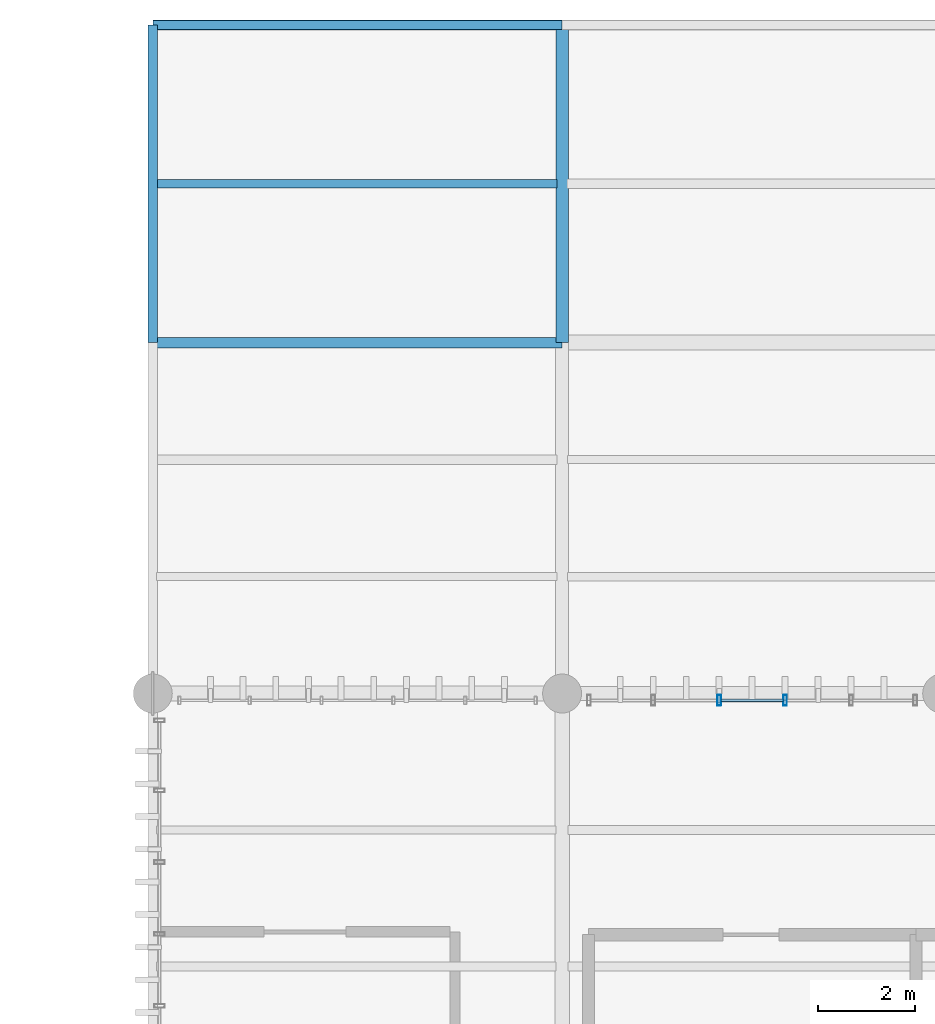
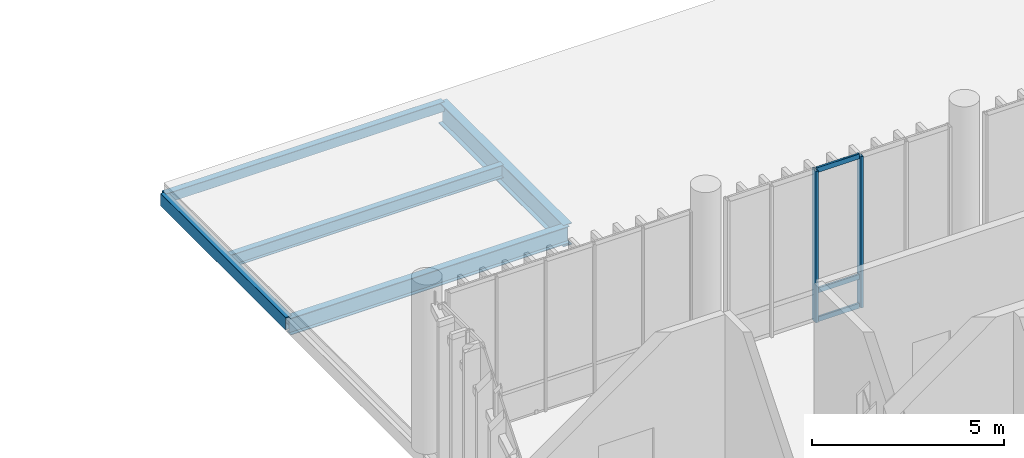
# One storey, part 87 of 128: 5 beams, 5 members, 1 element without a shape of its own.
"""IFC4 building model written with IfcOpenShell, lengths in metres."""

from ifc_helpers import new_model, si_unit, direction, frame, origin_with_axes, origin_2d_with_axis, place, context, subcontext, project, spatial, hollow_rectangle, i_section, extrude, material, material_profile, profile_set, type_object, element, aggregate, save


model = new_model("IFC4")

# Units and contexts
model_context = context("Model", 3, precision=1e-05, world=origin_with_axes(), true_north=direction((0.0, 1.0)))
body_context = subcontext(model_context, "Body", "Model", "MODEL_VIEW")
ifc_project = project(units=[si_unit("LENGTHUNIT", "METRE"), si_unit("AREAUNIT", "SQUARE_METRE"), si_unit("VOLUMEUNIT", "CUBIC_METRE"), si_unit("PLANEANGLEUNIT", "RADIAN"), si_unit("MASSUNIT", "GRAM", prefix="KILO"), si_unit("THERMODYNAMICTEMPERATUREUNIT", "KELVIN")], contexts=[model_context])

# Site, building, storey
site_placement = place(None, origin_with_axes())
site = spatial("IfcSite", under=ifc_project, at=site_placement, CompositionType="ELEMENT")
building_placement = place(site_placement, origin_with_axes())
building = spatial("IfcBuilding", under=site, at=building_placement, Name="Montbau Bow Law Courts", CompositionType="ELEMENT")
storey_placement = place(building_placement, frame((0.0, 0.0, 5.4), z_axis=(0.0, 0.0, 1.0), x_axis=(1.0, 0.0, 0.0)))
storey = spatial("IfcBuildingStorey", under=building, at=storey_placement, Name="L01", CompositionType="ELEMENT", Elevation=5.4)

# Beams
ifc_material_1 = material(Name="Steel CSA G40.21 Grade 350W (350 MPa)", Category="steel")
ifc_material_profile_1 = material_profile(ifc_material_1, i_section(OverallWidth=0.254, OverallDepth=0.688, WebThickness=0.0131, FlangeThickness=0.0211, at=origin_2d_with_axis()), Name="W690X152", Category="Main", Priority=0)
ifc_profile_set_1 = profile_set([ifc_material_profile_1], Name="Steel CSA G40.21 Grade 350W (350 MPa)")
beam_type_1 = type_object("IfcBeamType", Name="B-FLR-04", PredefinedType="BEAM", material=ifc_profile_set_1)
beam_1_placement = place(None, frame((147.0, 110.4, 4.806), z_axis=(0.0, 1.0, 0.0), x_axis=(-1.0, 0.0, 0.0)))
element("IfcBeam", 1, at=beam_1_placement, inside=storey, type_object=beam_type_1, Name="BM-L01-S1143:bm2_1146", PredefinedType="BEAM", context=body_context, shape_type="SweptSolid", body=[
    extrude(i_section(OverallWidth=0.254, OverallDepth=0.688, WebThickness=0.0131, FlangeThickness=0.0211, at=origin_2d_with_axis()), origin_with_axes(), (0.0, 0.0, 1.0), 6.52),
])
ifc_material_profile_2 = material_profile(ifc_material_1, i_section(OverallWidth=0.21, OverallDepth=0.537, WebThickness=0.0109, FlangeThickness=0.0174, at=origin_2d_with_axis()), Name="W530X101", Category="Main", Priority=0)
ifc_profile_set_2 = profile_set([ifc_material_profile_2], Name="Steel CSA G40.21 Grade 350W (350 MPa)")
beam_type_2 = type_object("IfcBeamType", Name="B-FLR-06", PredefinedType="BEAM", material=ifc_profile_set_2)
beam_2_placement = place(None, frame((138.6, 110.4, 4.881), z_axis=(1.0, 0.0, 0.0), x_axis=(0.0, 1.0, 0.0)))
element("IfcBeam", 2, at=beam_2_placement, inside=storey, type_object=beam_type_2, Name="BM-L01-S1122:bm2_1125", PredefinedType="BEAM", context=body_context, shape_type="SweptSolid", body=[
    extrude(i_section(OverallWidth=0.21, OverallDepth=0.537, WebThickness=0.0109, FlangeThickness=0.0174, at=origin_2d_with_axis()), origin_with_axes(), (0.0, 0.0, 1.0), 8.4),
])
ifc_material_profile_3 = material_profile(ifc_material_1, i_section(OverallWidth=0.179, OverallDepth=0.41, WebThickness=0.0088, FlangeThickness=0.0144, at=origin_2d_with_axis()), Name="W410X67", Category="Main", Priority=0)
ifc_profile_set_3 = profile_set([ifc_material_profile_3], Name="Steel CSA G40.21 Grade 350W (350 MPa)")
beam_type_3 = type_object("IfcBeamType", Name="B-JST-02", PredefinedType="JOIST", material=ifc_profile_set_3)
beam_3_placement = place(None, frame((138.68, 113.66, 4.945), z_axis=(1.0, 0.0, 0.0), x_axis=(0.0, 1.0, 0.0)))
element("IfcBeam", 3, at=beam_3_placement, inside=storey, type_object=beam_type_3, Name="JST-L01-S0573:jst2_0573", PredefinedType="JOIST", context=body_context, shape_type="SweptSolid", body=[
    extrude(i_section(OverallWidth=0.179, OverallDepth=0.41, WebThickness=0.0088, FlangeThickness=0.0144, at=origin_2d_with_axis()), origin_with_axes(), (0.0, 0.0, 1.0), 8.217),
])
ifc_material_2 = material(Name="Steel CSA G40.21 Grade 350WT (350 MPa)", Category="steel")
ifc_material_profile_4 = material_profile(ifc_material_2, hollow_rectangle(XDim=0.203, YDim=0.406, WallThickness=0.0127, InnerFilletRadius=0.0254, OuterFilletRadius=0.0127, at=origin_2d_with_axis()), Name="HSS406X203X13", Category="Main", Priority=0)
ifc_profile_set_4 = profile_set([ifc_material_profile_4], Name="Steel CSA G40.21 Grade 350WT (350 MPa)")
beam_type_4 = type_object("IfcBeamType", Name="B-SPN-01", PredefinedType="SPANDREL", material=ifc_profile_set_4)
beam_4_placement = place(None, frame((138.6, 110.4, 4.947), z_axis=(0.0, 1.0, 0.0), x_axis=(-1.0, 0.0, 0.0)))
element("IfcBeam", 4, at=beam_4_placement, inside=storey, type_object=beam_type_4, Name="SPN-L01-S1136:bm2_1139", PredefinedType="SPANDREL", context=body_context, shape_type="SweptSolid", body=[
    extrude(hollow_rectangle(XDim=0.203, YDim=0.406, WallThickness=0.0127, InnerFilletRadius=0.0254, OuterFilletRadius=0.0127, at=origin_2d_with_axis()), origin_with_axes(), (0.0, 0.0, 1.0), 6.52),
])
ifc_material_profile_5 = material_profile(ifc_material_2, hollow_rectangle(XDim=0.203, YDim=0.305, WallThickness=0.0127, InnerFilletRadius=0.0254, OuterFilletRadius=0.0127, at=origin_2d_with_axis()), Name="HSS305X203X13", Category="Main", Priority=0)
ifc_profile_set_5 = profile_set([ifc_material_profile_5], Name="Steel CSA G40.21 Grade 350WT (350 MPa)")
beam_type_5 = type_object("IfcBeamType", Name="B-SPN-02", PredefinedType="SPANDREL", material=ifc_profile_set_5)
beam_5_placement = place(None, frame((138.6, 116.92, 4.998), z_axis=(1.0, 0.0, 0.0), x_axis=(0.0, 1.0, 0.0)))
element("IfcBeam", 5, at=beam_5_placement, inside=storey, type_object=beam_type_5, Name="SPN-L01-S1126:bm2_1129", PredefinedType="SPANDREL", context=body_context, shape_type="SweptSolid", body=[
    extrude(hollow_rectangle(XDim=0.203, YDim=0.305, WallThickness=0.0127, InnerFilletRadius=0.0254, OuterFilletRadius=0.0127, at=origin_2d_with_axis()), origin_with_axes(), (0.0, 0.0, 1.0), 8.4),
])

# Curtain wall, members
ifc_material_3 = material(Name="Thermally Broken Extruded Aluminium AA 6063-T6", Category="aluminium")
curtain_wall_type = type_object("IfcCurtainWallType", Name="CW-SLT-01", PredefinedType="NOTDEFINED", material=ifc_material_3)
curtain_wall_placement = place(None, frame((147.515, 103.06, 5.4), z_axis=(0.0, 0.0, 1.0), x_axis=(1.0, 0.0, 0.0)))
curtain_wall = element("IfcCurtainWall", 6, at=curtain_wall_placement, inside=storey, type_object=curtain_wall_type, Name="CW-L01-282:cw_0282", PredefinedType="NOTDEFINED")
ifc_material_profile_6 = material_profile(ifc_material_3, hollow_rectangle(XDim=0.075, YDim=0.22, WallThickness=0.005, InnerFilletRadius=0.01, OuterFilletRadius=0.005, at=origin_2d_with_axis()), Name="CWM-220X75", Category="Main", Priority=0)
ifc_profile_set_6 = profile_set([ifc_material_profile_6], Name="Thermally Broken Extruded Aluminium AA 6063-T6")
member_type_1 = type_object("IfcMemberType", Name="M-MUL-01", PredefinedType="MULLION", material=ifc_profile_set_6)
member_1_placement = place(None, frame((150.223, 103.06, 5.4), z_axis=(0.0, 0.0, 1.0), x_axis=(1.0, 0.0, 0.0)))
member_1 = element("IfcMember", 7, at=member_1_placement, type_object=member_type_1, Name="CW-L01-282-M03:cw_0282_M03", PredefinedType="MULLION", context=body_context, shape_type="SweptSolid", body=[
    extrude(hollow_rectangle(XDim=0.075, YDim=0.22, WallThickness=0.005, InnerFilletRadius=0.01, OuterFilletRadius=0.005, at=origin_2d_with_axis()), origin_with_axes(), (0.0, 0.0, 1.0), 4.82),
])
member_2_placement = place(None, frame((151.577, 103.06, 5.4), z_axis=(0.0, 0.0, 1.0), x_axis=(1.0, 0.0, 0.0)))
member_2 = element("IfcMember", 8, at=member_2_placement, type_object=member_type_1, Name="CW-L01-282-M04:cw_0282_M04", PredefinedType="MULLION", context=body_context, shape_type="SweptSolid", body=[
    extrude(hollow_rectangle(XDim=0.075, YDim=0.22, WallThickness=0.005, InnerFilletRadius=0.01, OuterFilletRadius=0.005, at=origin_2d_with_axis()), origin_with_axes(), (0.0, 0.0, 1.0), 4.82),
])
ifc_material_profile_7 = material_profile(ifc_material_3, hollow_rectangle(XDim=0.06, YDim=0.16, WallThickness=0.004, InnerFilletRadius=0.008, OuterFilletRadius=0.004, at=origin_2d_with_axis()), Name="CWT-160X60", Category="Main", Priority=0)
ifc_profile_set_7 = profile_set([ifc_material_profile_7], Name="Thermally Broken Extruded Aluminium AA 6063-T6")
member_type_2 = type_object("IfcMemberType", Name="M-TRN-01", PredefinedType="USERDEFINED", material=ifc_profile_set_7)
member_3_placement = place(None, frame((150.263, 103.06, 5.43), z_axis=(1.0, 0.0, 0.0), x_axis=(0.0, 1.0, 0.0)))
member_3 = element("IfcMember", 9, at=member_3_placement, type_object=member_type_2, Name="CW-L01-282-T03-1:cw_0282_T03_1", ObjectType="TRANSOM", PredefinedType="USERDEFINED", context=body_context, shape_type="SweptSolid", body=[
    extrude(hollow_rectangle(XDim=0.06, YDim=0.16, WallThickness=0.004, InnerFilletRadius=0.008, OuterFilletRadius=0.004, at=origin_2d_with_axis()), origin_with_axes(), (0.0, 0.0, 1.0), 1.275),
])
member_4_placement = place(None, frame((150.263, 103.06, 6.35), z_axis=(1.0, 0.0, 0.0), x_axis=(0.0, 1.0, 0.0)))
member_4 = element("IfcMember", 10, at=member_4_placement, type_object=member_type_2, Name="CW-L01-282-T03-2:cw_0282_T03_2", ObjectType="TRANSOM", PredefinedType="USERDEFINED", context=body_context, shape_type="SweptSolid", body=[
    extrude(hollow_rectangle(XDim=0.06, YDim=0.16, WallThickness=0.004, InnerFilletRadius=0.008, OuterFilletRadius=0.004, at=origin_2d_with_axis()), origin_with_axes(), (0.0, 0.0, 1.0), 1.275),
])
member_5_placement = place(None, frame((150.263, 103.06, 10.19), z_axis=(1.0, 0.0, 0.0), x_axis=(0.0, 1.0, 0.0)))
member_5 = element("IfcMember", 11, at=member_5_placement, type_object=member_type_2, Name="CW-L01-282-T03-3:cw_0282_T03_3", ObjectType="TRANSOM", PredefinedType="USERDEFINED", context=body_context, shape_type="SweptSolid", body=[
    extrude(hollow_rectangle(XDim=0.06, YDim=0.16, WallThickness=0.004, InnerFilletRadius=0.008, OuterFilletRadius=0.004, at=origin_2d_with_axis()), origin_with_axes(), (0.0, 0.0, 1.0), 1.275),
])
aggregate(curtain_wall, [member_1, member_2, member_3, member_4, member_5])

save(model, "model.ifc")
